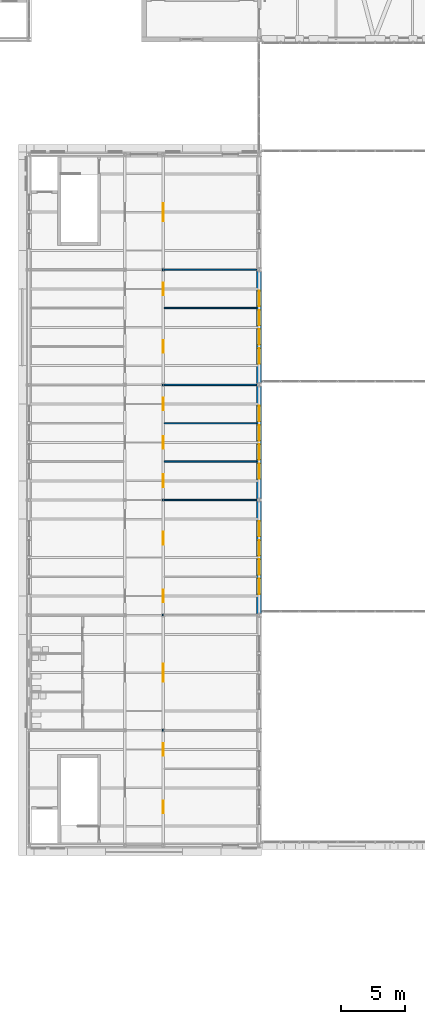
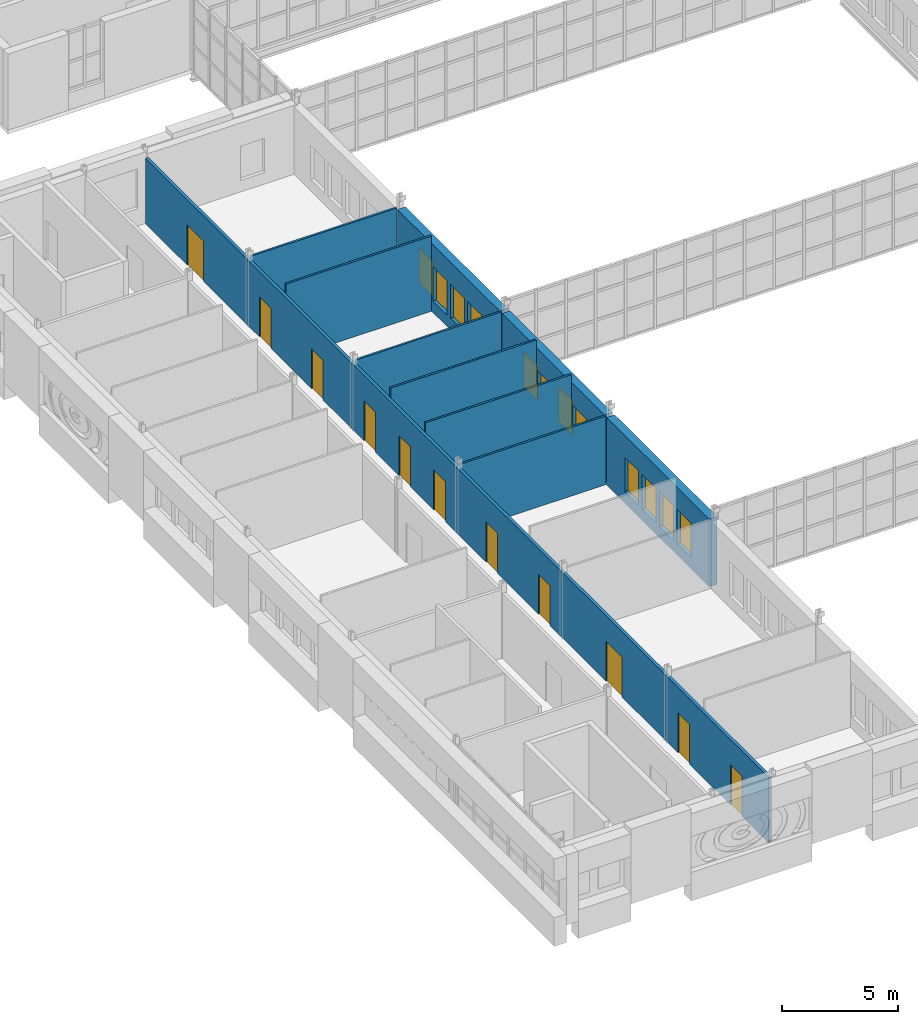
# One storey, part 106 of 154: 12 windows, 11 doors, 10 walls, 23 openings.
"""IFC4 building model written with IfcOpenShell, lengths in metres."""

import ifcopenshell
import ifcopenshell.guid

model = None  # the IFC model being written
_history = None  # IfcOwnerHistory: only IFC2X3 demands one
_inside = {}  # id of a spatial element -> (the spatial element, [elements in it])
_under = {}  # id of a project, library or spatial element -> (it, [spatial elements below it])
_declared = {}  # id of a project -> (the project, [libraries it declares])
_typed = {}  # id of a type object -> (the type object, [elements of that type])
_made_of = {}  # id of a material, layer set ... -> (it, [elements and type objects made of it])


def new_model(schema):
    """Start an empty IFC model of exactly this schema.

    Asked for "IFC4X3", IfcOpenShell would pick the latest addendum, in which some entities
    have other attributes; the version numbers below select the first issue.
    IFC2X3 requires an IfcOwnerHistory on every rooted entity: one is made here for all.
    """
    global model, _history
    if schema == "IFC4X3":
        model = ifcopenshell.file(schema_version=(4, 3, 0, 0))
    else:
        model = ifcopenshell.file(schema=schema)
    _inside.clear()
    _under.clear()
    _declared.clear()
    _typed.clear()
    _made_of.clear()
    _history = None
    if model.schema == "IFC2X3":
        org = make("IfcOrganization", Name="unknown")
        user = make(
            "IfcPersonAndOrganization",
            ThePerson=make("IfcPerson", FamilyName="unknown"),
            TheOrganization=org,
        )
        app = make(
            "IfcApplication",
            ApplicationDeveloper=org,
            Version="unknown",
            ApplicationFullName="unknown",
            ApplicationIdentifier="unknown",
        )
        _history = make(
            "IfcOwnerHistory",
            OwningUser=user,
            OwningApplication=app,
            ChangeAction="ADDED",
            CreationDate=0,
        )
    return model


def make(cls, **values):
    """One entity of the class cls with the attributes given. An attribute that is None is left unset."""
    return model.create_entity(
        cls, **{name: value for name, value in values.items() if value is not None}
    )


def rooted(cls, **values):
    """An entity with a GlobalId (a new one), such as an element, a storey or a relation."""
    return make(cls, GlobalId=ifcopenshell.guid.new(), OwnerHistory=_history, **values)


def si_unit(unit_type, name, prefix=None):
    """IfcSIUnit, for example si_unit("LENGTHUNIT", "METRE", prefix="MILLI")."""
    return make("IfcSIUnit", UnitType=unit_type, Prefix=prefix, Name=name)


def assignment(units):
    """IfcUnitAssignment: the units of a project."""
    return None if units is None else make("IfcUnitAssignment", Units=units)


def point(xyz):
    """IfcCartesianPoint."""
    return None if xyz is None else make("IfcCartesianPoint", Coordinates=xyz)


def direction(xyz):
    """IfcDirection."""
    return None if xyz is None else make("IfcDirection", DirectionRatios=xyz)


def frame(location, z_axis=None, x_axis=None):
    """IfcAxis2Placement3D, a coordinate frame: its origin and axes. An axis left out is left unset."""
    return make(
        "IfcAxis2Placement3D",
        Location=point(location),
        Axis=direction(z_axis),
        RefDirection=direction(x_axis),
    )


def frame_2d(location, x_axis=None):
    """IfcAxis2Placement2D, a coordinate frame in the plane: its origin and x axis."""
    return make(
        "IfcAxis2Placement2D", Location=point(location), RefDirection=direction(x_axis)
    )


def origin():
    """The frame at (0, 0, 0) with its axes left unset."""
    return frame((0.0, 0.0, 0.0))


def place(relative_to, where):
    """IfcLocalPlacement: puts the frame where relative to a parent placement (None: the world)."""
    return make(
        "IfcLocalPlacement", PlacementRelTo=relative_to, RelativePlacement=where
    )


def context(
    kind, dimensions, precision=None, world=None, true_north=None, identifier=None
):
    """IfcGeometricRepresentationContext, for example the 3D "Model" context."""
    return make(
        "IfcGeometricRepresentationContext",
        ContextIdentifier=identifier,
        ContextType=kind,
        CoordinateSpaceDimension=dimensions,
        Precision=precision,
        WorldCoordinateSystem=world,
        TrueNorth=true_north,
    )


def subcontext(parent, identifier, kind, view, scale=None):
    """IfcGeometricRepresentationSubContext, for example "Body" below "Model"."""
    return make(
        "IfcGeometricRepresentationSubContext",
        ContextIdentifier=identifier,
        ContextType=kind,
        ParentContext=parent,
        TargetScale=scale,
        TargetView=view,
    )


def project(units=None, contexts=None):
    """IfcProject with its units and contexts."""
    return rooted(
        "IfcProject",
        Name="project",
        RepresentationContexts=contexts,
        UnitsInContext=assignment(units),
    )


def spatial(cls, under=None, at=None, **own):
    """A site, building, storey or space (cls), placed at a placement, below another one or the project."""
    s = rooted(cls, ObjectPlacement=at, **own)
    if under is not None:
        _under.setdefault(under.id(), (under, []))[1].append(s)
    return s


def profile(cls, at=None, kind="AREA", **sizes):
    """A parametric profile (cls). Its sizes go by their IFC names, for example OverallWidth=200.0."""
    return make(cls, ProfileType=kind, Position=at, **sizes)


def rectangle(**sizes):
    """IfcRectangleProfileDef."""
    return profile("IfcRectangleProfileDef", **sizes)


def extrude(swept, where, along, depth):
    """IfcExtrudedAreaSolid: the profile swept, set in the frame where, extruded along a direction by depth."""
    return make(
        "IfcExtrudedAreaSolid",
        SweptArea=swept,
        Position=where,
        ExtrudedDirection=direction(along),
        Depth=depth,
    )


def shape(context_of_items, identifier, shape_type, items):
    """IfcShapeRepresentation: the items that make up one representation, for example the "Body"."""
    return make(
        "IfcShapeRepresentation",
        ContextOfItems=context_of_items,
        RepresentationIdentifier=identifier,
        RepresentationType=shape_type,
        Items=items,
    )


def material(Name=None, Category=None):
    """IfcMaterial."""
    return make("IfcMaterial", Name=Name, Category=Category)


def layer(
    of_material, thickness, ventilated=None, Name=None, Category=None, Priority=None
):
    """IfcMaterialLayer: one layer of a wall or slab, of a material (None: an air gap)."""
    return make(
        "IfcMaterialLayer",
        Material=of_material,
        LayerThickness=thickness,
        IsVentilated=ventilated,
        Name=Name,
        Category=Category,
        Priority=Priority,
    )


def layer_set(layers, Name=None):
    """IfcMaterialLayerSet."""
    return make("IfcMaterialLayerSet", MaterialLayers=layers, LayerSetName=Name)


def made_of(thing, what):
    """Note that an element or type object is made of a material, layer set ...; save() writes the relation."""
    if what is not None:
        _made_of.setdefault(what.id(), (what, []))[1].append(thing)
    return thing


def type_object(cls, material=None, **own):
    """A type object (cls), such as IfcWallType, which elements share."""
    return made_of(rooted(cls, **own), material)


def element(
    cls,
    number,
    at=None,
    inside=None,
    cuts=None,
    type_object=None,
    material=None,
    context=None,
    identifier="Body",
    shape_type=None,
    held_by="IfcProductDefinitionShape",
    body=None,
    shapes=None,
    **own,
):
    """One element of the class cls, such as IfcWall. Its Tag is "e" and its number.

    at: its placement. inside: the storey or other place that contains it. cuts: it is an
    opening in that element (IfcRelVoidsElement). A single representation is given by context,
    identifier, shape_type and body (its items); several are given by shapes. held_by: the class
    of the entity that holds the representations. save() writes the other relations.
    """
    e = rooted(cls, Tag="e%d" % number, ObjectPlacement=at, **own)
    if body is not None:
        shapes = [shape(context, identifier, shape_type, body)]
    if shapes is not None:
        e.Representation = make(held_by, Representations=shapes)
    if inside is not None:
        _inside.setdefault(inside.id(), (inside, []))[1].append(e)
    if cuts is not None:
        rooted(
            "IfcRelVoidsElement", RelatingBuildingElement=cuts, RelatedOpeningElement=e
        )
    if type_object is not None:
        _typed.setdefault(type_object.id(), (type_object, []))[1].append(e)
    return made_of(e, material)


def fill(opening, filler):
    """IfcRelFillsElement: the door or window that sits in an opening."""
    return rooted(
        "IfcRelFillsElement",
        RelatingOpeningElement=opening,
        RelatedBuildingElement=filler,
    )


def aggregate(whole, parts):
    """IfcRelAggregates: a whole, such as a stair, and the parts it consists of."""
    return rooted("IfcRelAggregates", RelatingObject=whole, RelatedObjects=parts)


def save(model, path):
    """Write the relations noted so far, then the file.

    IfcRelAggregates (storeys below a building ...), IfcRelContainedInSpatialStructure (elements
    in a storey), IfcRelDefinesByType, IfcRelAssociatesMaterial and IfcRelDeclares: one each for
    every whole, place, type object, material and project.
    """
    for whole, parts in _under.values():
        aggregate(whole, parts)
    for where, things in _inside.values():
        rooted(
            "IfcRelContainedInSpatialStructure",
            RelatedElements=things,
            RelatingStructure=where,
        )
    for kind, things in _typed.values():
        rooted("IfcRelDefinesByType", RelatedObjects=things, RelatingType=kind)
    for what, things in _made_of.values():
        rooted("IfcRelAssociatesMaterial", RelatedObjects=things, RelatingMaterial=what)
    for by, libraries in _declared.values():
        rooted("IfcRelDeclares", RelatingContext=by, RelatedDefinitions=libraries)
    model.write(path)


model = new_model("IFC4")

# Units and contexts
model_context = context("Model", 3, precision=1e-05, world=origin(), true_north=direction((0.0, 1.0)))
body_context = subcontext(model_context, "Body", "Model", "MODEL_VIEW")
ifc_project = project(units=[si_unit("LENGTHUNIT", "METRE"), si_unit("AREAUNIT", "SQUARE_METRE"), si_unit("VOLUMEUNIT", "CUBIC_METRE"), si_unit("PLANEANGLEUNIT", "RADIAN"), si_unit("MASSUNIT", "GRAM", prefix="KILO")], contexts=[model_context])

# Site, building, storey
site_placement = place(None, origin())
site = spatial("IfcSite", under=ifc_project, at=site_placement, CompositionType="ELEMENT")
building_placement = place(site_placement, origin())
building = spatial("IfcBuilding", under=site, at=building_placement, Name="Golden Quay Civic Hall", CompositionType="ELEMENT")
storey_placement = place(building_placement, frame((0.0, 0.0, 14.39990234375)))
storey = spatial("IfcBuildingStorey", under=building, at=storey_placement, Name="L03", CompositionType="ELEMENT", Elevation=14.39990234375)

# Walls
ifc_material_1 = material(Name="Plasterboard on steel studs", Category="steel")
ifc_layer_1 = layer(ifc_material_1, 0.10009765625)
ifc_layer_set_1 = layer_set([ifc_layer_1], Name="Partition 100 stud")
wall_type_1 = type_object("IfcWallType", Name="Partition 100 stud", PredefinedType="PARTITIONING", material=ifc_layer_set_1)
wall_1_placement = place(storey_placement, frame((64.574951171875, 27.0, 0.0), z_axis=(0.0, 0.0, 1.0), x_axis=(1.0, 0.0, 0.0)))
element("IfcWall", 1, at=wall_1_placement, inside=storey, type_object=wall_type_1, Name="Partition L03-012", PredefinedType="PARTITIONING", context=body_context, shape_type="SweptSolid", body=[
    extrude(rectangle(XDim=7.22509765625, YDim=0.10009765625, at=frame_2d((3.612548828125, 0.0))), origin(), (0.0, 0.0, 1.0), 3.60009765625),
])
for number, where, z_axis, x_axis, name in (
    (2, (64.574951171875, 30.0, 0.0), (0.0, 0.0, 1.0), (1.0, 0.0, 0.0), "Partition L03-013"),
    (3, (64.574951171875, 33.0, 0.0), (0.0, 0.0, 1.0), (1.0, 0.0, 0.0), "Partition L03-014"),
):
    element("IfcWall", number, at=place(storey_placement, frame(where, z_axis=z_axis, x_axis=x_axis)), inside=storey, type_object=wall_type_1, Name=name, PredefinedType="PARTITIONING", context=body_context, shape_type="SweptSolid", body=[
        extrude(rectangle(XDim=7.22509765625, YDim=0.10009765625, at=frame_2d((3.612548828125, 0.0))), origin(), (0.0, 0.0, 1.0), 3.9501953125),
    ])
wall_2_placement = place(storey_placement, frame((64.574951171875, 36.0, 0.0), z_axis=(0.0, 0.0, 1.0), x_axis=(1.0, 0.0, 0.0)))
element("IfcWall", 4, at=wall_2_placement, inside=storey, type_object=wall_type_1, Name="Partition L03-015", PredefinedType="PARTITIONING", context=body_context, shape_type="SweptSolid", body=[
    extrude(rectangle(XDim=7.22509765625, YDim=0.10009765625, at=frame_2d((3.612548828125, 0.0))), origin(), (0.0, 0.0, 1.0), 3.60009765625),
])
wall_3_placement = place(storey_placement, frame((64.574951171875, 42.0, 0.0), z_axis=(0.0, 0.0, 1.0), x_axis=(1.0, 0.0, 0.0)))
element("IfcWall", 5, at=wall_3_placement, inside=storey, type_object=wall_type_1, Name="Partition L03-016", PredefinedType="PARTITIONING", context=body_context, shape_type="SweptSolid", body=[
    extrude(rectangle(XDim=7.22509765625, YDim=0.10009765625, at=frame_2d((3.612548828125, 0.0))), origin(), (0.0, 0.0, 1.0), 3.9501953125),
])
wall_4_placement = place(storey_placement, frame((64.574951171875, 45.0, 0.0), z_axis=(0.0, 0.0, 1.0), x_axis=(1.0, 0.0, 0.0)))
element("IfcWall", 6, at=wall_4_placement, inside=storey, type_object=wall_type_1, Name="Partition L03-017", PredefinedType="PARTITIONING", context=body_context, shape_type="SweptSolid", body=[
    extrude(rectangle(XDim=7.22509765625, YDim=0.10009765625, at=frame_2d((3.612548828125, 0.0))), origin(), (0.0, 0.0, 1.0), 3.60009765625),
])

# Wall, openings, doors
ifc_material_2 = material(Name="Plasterboard on steel studs", Category="steel")
ifc_layer_2 = layer(ifc_material_2, 0.14990234375)
ifc_layer_set_2 = layer_set([ifc_layer_2], Name="Partition 150 stud fire EI 60")
wall_type_2 = type_object("IfcWallType", Name="Partition 150 stud fire EI 60", PredefinedType="PARTITIONING", material=ifc_layer_set_2)
wall_5_placement = place(storey_placement, frame((64.5, 0.199951171875, 0.0), z_axis=(0.0, 0.0, 1.0), x_axis=(0.0, 1.0, 0.0)))
wall_5 = element("IfcWall", 7, at=wall_5_placement, inside=storey, type_object=wall_type_2, Name="Partition L03-020", PredefinedType="PARTITIONING", context=body_context, shape_type="SweptSolid", body=[
    extrude(rectangle(XDim=53.60009765625, YDim=0.14990234375, at=frame_2d((26.800048828125, 0.0))), origin(), (0.0, 0.0, 1.0), 3.43017578125),
])
opening_1_placement = place(wall_5_placement, frame((2.300048828125, 0.0, 0.0)))
opening_1 = element("IfcOpeningElement", 8, at=opening_1_placement, cuts=wall_5, Name="Opening L03-D082", PredefinedType="OPENING", context=body_context, shape_type="SweptSolid", body=[
    extrude(rectangle(XDim=1.0, YDim=2.10009765625, at=frame_2d((0.5, 1.050048828125))), frame((0.0, 0.0849609375, 0.0), z_axis=(0.0, -1.0, 0.0), x_axis=(1.0, 0.0, 0.0)), (0.0, 0.0, 1.0), 0.169921875),
])
opening_2_placement = place(wall_5_placement, frame((6.800048828125, 0.0, 0.0)))
opening_2 = element("IfcOpeningElement", 9, at=opening_2_placement, cuts=wall_5, Name="Opening L03-D083", PredefinedType="OPENING", context=body_context, shape_type="SweptSolid", body=[
    extrude(rectangle(XDim=1.0, YDim=2.10009765625, at=frame_2d((0.5, 1.050048828125))), frame((0.0, 0.0849609375, 0.0), z_axis=(0.0, -1.0, 0.0), x_axis=(1.0, 0.0, 0.0)), (0.0, 0.0, 1.0), 0.169921875),
])
opening_3_placement = place(wall_5_placement, frame((12.60009765625, 0.0, 0.0)))
opening_3 = element("IfcOpeningElement", 10, at=opening_3_placement, cuts=wall_5, Name="Opening L03-D084", PredefinedType="OPENING", context=body_context, shape_type="SweptSolid", body=[
    extrude(rectangle(XDim=1.39990234375, YDim=2.10009765625, at=frame_2d((0.699951171875, 1.050048828125))), frame((0.0, 0.0849609375, 0.0), z_axis=(0.0, -1.0, 0.0), x_axis=(1.0, 0.0, 0.0)), (0.0, 0.0, 1.0), 0.169921875),
])
opening_4_placement = place(wall_5_placement, frame((18.800048828125, 0.0, 0.0)))
opening_4 = element("IfcOpeningElement", 11, at=opening_4_placement, cuts=wall_5, Name="Opening L03-D085", PredefinedType="OPENING", context=body_context, shape_type="SweptSolid", body=[
    extrude(rectangle(XDim=1.0, YDim=2.10009765625, at=frame_2d((0.5, 1.050048828125))), frame((0.0, 0.0849609375, 0.0), z_axis=(0.0, -1.0, 0.0), x_axis=(1.0, 0.0, 0.0)), (0.0, 0.0, 1.0), 0.169921875),
])
opening_5_placement = place(wall_5_placement, frame((23.300048828125, 0.0, 0.0)))
opening_5 = element("IfcOpeningElement", 12, at=opening_5_placement, cuts=wall_5, Name="Opening L03-D086", PredefinedType="OPENING", context=body_context, shape_type="SweptSolid", body=[
    extrude(rectangle(XDim=1.0, YDim=2.10009765625, at=frame_2d((0.5, 1.050048828125))), frame((0.0, 0.0849609375, 0.0), z_axis=(0.0, -1.0, 0.0), x_axis=(1.0, 0.0, 0.0)), (0.0, 0.0, 1.0), 0.169921875),
])
opening_6_placement = place(wall_5_placement, frame((27.800048828125, 0.0, 0.0)))
opening_6 = element("IfcOpeningElement", 13, at=opening_6_placement, cuts=wall_5, Name="Opening L03-D087", PredefinedType="OPENING", context=body_context, shape_type="SweptSolid", body=[
    extrude(rectangle(XDim=1.0, YDim=2.10009765625, at=frame_2d((0.5, 1.050048828125))), frame((0.0, 0.0849609375, 0.0), z_axis=(0.0, -1.0, 0.0), x_axis=(1.0, 0.0, 0.0)), (0.0, 0.0, 1.0), 0.169921875),
])
opening_7_placement = place(wall_5_placement, frame((30.800048828125, 0.0, 0.0)))
opening_7 = element("IfcOpeningElement", 14, at=opening_7_placement, cuts=wall_5, Name="Opening L03-D088", PredefinedType="OPENING", context=body_context, shape_type="SweptSolid", body=[
    extrude(rectangle(XDim=1.0, YDim=2.10009765625, at=frame_2d((0.5, 1.050048828125))), frame((0.0, 0.0849609375, 0.0), z_axis=(0.0, -1.0, 0.0), x_axis=(1.0, 0.0, 0.0)), (0.0, 0.0, 1.0), 0.169921875),
])
opening_8_placement = place(wall_5_placement, frame((33.800048828125, 0.0, 0.0)))
opening_8 = element("IfcOpeningElement", 15, at=opening_8_placement, cuts=wall_5, Name="Opening L03-D089", PredefinedType="OPENING", context=body_context, shape_type="SweptSolid", body=[
    extrude(rectangle(XDim=1.0, YDim=2.10009765625, at=frame_2d((0.5, 1.050048828125))), frame((0.0, 0.0849609375, 0.0), z_axis=(0.0, -1.0, 0.0), x_axis=(1.0, 0.0, 0.0)), (0.0, 0.0, 1.0), 0.169921875),
])
opening_9_placement = place(wall_5_placement, frame((38.300048828125, 0.0, 0.0)))
opening_9 = element("IfcOpeningElement", 16, at=opening_9_placement, cuts=wall_5, Name="Opening L03-D090", PredefinedType="OPENING", context=body_context, shape_type="SweptSolid", body=[
    extrude(rectangle(XDim=1.0, YDim=2.10009765625, at=frame_2d((0.5, 1.050048828125))), frame((0.0, 0.0849609375, 0.0), z_axis=(0.0, -1.0, 0.0), x_axis=(1.0, 0.0, 0.0)), (0.0, 0.0, 1.0), 0.169921875),
])
opening_10_placement = place(wall_5_placement, frame((42.800048828125, 0.0, 0.0)))
opening_10 = element("IfcOpeningElement", 17, at=opening_10_placement, cuts=wall_5, Name="Opening L03-D091", PredefinedType="OPENING", context=body_context, shape_type="SweptSolid", body=[
    extrude(rectangle(XDim=1.0, YDim=2.10009765625, at=frame_2d((0.5, 1.050048828125))), frame((0.0, 0.0849609375, 0.0), z_axis=(0.0, -1.0, 0.0), x_axis=(1.0, 0.0, 0.0)), (0.0, 0.0, 1.0), 0.169921875),
])
opening_11_placement = place(wall_5_placement, frame((48.60009765625, 0.0, 0.0)))
opening_11 = element("IfcOpeningElement", 18, at=opening_11_placement, cuts=wall_5, Name="Opening L03-D092", PredefinedType="OPENING", context=body_context, shape_type="SweptSolid", body=[
    extrude(rectangle(XDim=1.39990234375, YDim=2.10009765625, at=frame_2d((0.699951171875, 1.050048828125))), frame((0.0, 0.0849609375, 0.0), z_axis=(0.0, -1.0, 0.0), x_axis=(1.0, 0.0, 0.0)), (0.0, 0.0, 1.0), 0.169921875),
])
ifc_material_3 = material(Name="Steel", Category="steel")
door_type_1 = type_object("IfcDoorType", Name="Steel double fire door FD30S 1400 x 2100", OperationType="DOUBLE_DOOR_SINGLE_SWING", PredefinedType="DOOR", material=ifc_material_3)
door_1_placement = place(opening_3_placement, frame((1.39990234375, 0.0, 0.0), z_axis=(0.0, 0.0, 1.0), x_axis=(-1.0, 0.0, 0.0)))
door_1 = element("IfcDoor", 19, at=door_1_placement, inside=storey, type_object=door_type_1, Name="Door L03-D084", OperationType="DOUBLE_DOOR_SINGLE_SWING", OverallHeight=2.10009765625, OverallWidth=1.39990234375, PredefinedType="DOOR", context=body_context, shape_type="SweptSolid", body=[
    extrude(rectangle(XDim=1.39990234375, YDim=2.10009765625, at=frame_2d((0.699951171875, 1.050048828125))), frame((0.0, 0.025146484375, 0.0), z_axis=(0.0, -1.0, 0.0), x_axis=(1.0, 0.0, 0.0)), (0.0, 0.0, 1.0), 0.050048828125),
])
fill(opening_3, door_1)
door_2_placement = place(opening_11_placement, frame((1.39990234375, 0.0, 0.0), z_axis=(0.0, 0.0, 1.0), x_axis=(-1.0, 0.0, 0.0)))
door_2 = element("IfcDoor", 20, at=door_2_placement, inside=storey, type_object=door_type_1, Name="Door L03-D092", OperationType="DOUBLE_DOOR_SINGLE_SWING", OverallHeight=2.10009765625, OverallWidth=1.39990234375, PredefinedType="DOOR", context=body_context, shape_type="SweptSolid", body=[
    extrude(rectangle(XDim=1.39990234375, YDim=2.10009765625, at=frame_2d((0.699951171875, 1.050048828125))), frame((0.0, 0.025146484375, 0.0), z_axis=(0.0, -1.0, 0.0), x_axis=(1.0, 0.0, 0.0)), (0.0, 0.0, 1.0), 0.050048828125),
])
fill(opening_11, door_2)
ifc_material_4 = material(Name="Steel", Category="steel")
door_type_2 = type_object("IfcDoorType", Name="Steel fire door FD30S 1000 x 2100", OperationType="SINGLE_SWING_LEFT", PredefinedType="DOOR", material=ifc_material_4)
door_3_placement = place(opening_1_placement, frame((1.0, 0.0, 0.0), z_axis=(0.0, 0.0, 1.0), x_axis=(-1.0, 0.0, 0.0)))
door_3 = element("IfcDoor", 21, at=door_3_placement, inside=storey, type_object=door_type_2, Name="Door L03-D082", OperationType="SINGLE_SWING_RIGHT", OverallHeight=2.10009765625, OverallWidth=1.0, PredefinedType="DOOR", context=body_context, shape_type="SweptSolid", body=[
    extrude(rectangle(XDim=1.0, YDim=2.10009765625, at=frame_2d((0.5, 1.050048828125))), frame((0.0, 0.025146484375, 0.0), z_axis=(0.0, -1.0, 0.0), x_axis=(1.0, 0.0, 0.0)), (0.0, 0.0, 1.0), 0.050048828125),
])
fill(opening_1, door_3)
door_4_placement = place(opening_2_placement, frame((1.0, 0.0, 0.0), z_axis=(0.0, 0.0, 1.0), x_axis=(-1.0, 0.0, 0.0)))
door_4 = element("IfcDoor", 22, at=door_4_placement, inside=storey, type_object=door_type_2, Name="Door L03-D083", OperationType="SINGLE_SWING_RIGHT", OverallHeight=2.10009765625, OverallWidth=1.0, PredefinedType="DOOR", context=body_context, shape_type="SweptSolid", body=[
    extrude(rectangle(XDim=1.0, YDim=2.10009765625, at=frame_2d((0.5, 1.050048828125))), frame((0.0, 0.025146484375, 0.0), z_axis=(0.0, -1.0, 0.0), x_axis=(1.0, 0.0, 0.0)), (0.0, 0.0, 1.0), 0.050048828125),
])
fill(opening_2, door_4)
door_5_placement = place(opening_4_placement, frame((1.0, 0.0, 0.0), z_axis=(0.0, 0.0, 1.0), x_axis=(-1.0, 0.0, 0.0)))
door_5 = element("IfcDoor", 23, at=door_5_placement, inside=storey, type_object=door_type_2, Name="Door L03-D085", OperationType="SINGLE_SWING_RIGHT", OverallHeight=2.10009765625, OverallWidth=1.0, PredefinedType="DOOR", context=body_context, shape_type="SweptSolid", body=[
    extrude(rectangle(XDim=1.0, YDim=2.10009765625, at=frame_2d((0.5, 1.050048828125))), frame((0.0, 0.025146484375, 0.0), z_axis=(0.0, -1.0, 0.0), x_axis=(1.0, 0.0, 0.0)), (0.0, 0.0, 1.0), 0.050048828125),
])
fill(opening_4, door_5)
door_6_placement = place(opening_5_placement, frame((1.0, 0.0, 0.0), z_axis=(0.0, 0.0, 1.0), x_axis=(-1.0, 0.0, 0.0)))
door_6 = element("IfcDoor", 24, at=door_6_placement, inside=storey, type_object=door_type_2, Name="Door L03-D086", OperationType="SINGLE_SWING_RIGHT", OverallHeight=2.10009765625, OverallWidth=1.0, PredefinedType="DOOR", context=body_context, shape_type="SweptSolid", body=[
    extrude(rectangle(XDim=1.0, YDim=2.10009765625, at=frame_2d((0.5, 1.050048828125))), frame((0.0, 0.025146484375, 0.0), z_axis=(0.0, -1.0, 0.0), x_axis=(1.0, 0.0, 0.0)), (0.0, 0.0, 1.0), 0.050048828125),
])
fill(opening_5, door_6)
door_7_placement = place(opening_6_placement, frame((1.0, 0.0, 0.0), z_axis=(0.0, 0.0, 1.0), x_axis=(-1.0, 0.0, 0.0)))
door_7 = element("IfcDoor", 25, at=door_7_placement, inside=storey, type_object=door_type_2, Name="Door L03-D087", OperationType="SINGLE_SWING_RIGHT", OverallHeight=2.10009765625, OverallWidth=1.0, PredefinedType="DOOR", context=body_context, shape_type="SweptSolid", body=[
    extrude(rectangle(XDim=1.0, YDim=2.10009765625, at=frame_2d((0.5, 1.050048828125))), frame((0.0, 0.025146484375, 0.0), z_axis=(0.0, -1.0, 0.0), x_axis=(1.0, 0.0, 0.0)), (0.0, 0.0, 1.0), 0.050048828125),
])
fill(opening_6, door_7)
door_8_placement = place(opening_7_placement, frame((1.0, 0.0, 0.0), z_axis=(0.0, 0.0, 1.0), x_axis=(-1.0, 0.0, 0.0)))
door_8 = element("IfcDoor", 26, at=door_8_placement, inside=storey, type_object=door_type_2, Name="Door L03-D088", OperationType="SINGLE_SWING_RIGHT", OverallHeight=2.10009765625, OverallWidth=1.0, PredefinedType="DOOR", context=body_context, shape_type="SweptSolid", body=[
    extrude(rectangle(XDim=1.0, YDim=2.10009765625, at=frame_2d((0.5, 1.050048828125))), frame((0.0, 0.025146484375, 0.0), z_axis=(0.0, -1.0, 0.0), x_axis=(1.0, 0.0, 0.0)), (0.0, 0.0, 1.0), 0.050048828125),
])
fill(opening_7, door_8)
door_9_placement = place(opening_8_placement, frame((1.0, 0.0, 0.0), z_axis=(0.0, 0.0, 1.0), x_axis=(-1.0, 0.0, 0.0)))
door_9 = element("IfcDoor", 27, at=door_9_placement, inside=storey, type_object=door_type_2, Name="Door L03-D089", OperationType="SINGLE_SWING_RIGHT", OverallHeight=2.10009765625, OverallWidth=1.0, PredefinedType="DOOR", context=body_context, shape_type="SweptSolid", body=[
    extrude(rectangle(XDim=1.0, YDim=2.10009765625, at=frame_2d((0.5, 1.050048828125))), frame((0.0, 0.025146484375, 0.0), z_axis=(0.0, -1.0, 0.0), x_axis=(1.0, 0.0, 0.0)), (0.0, 0.0, 1.0), 0.050048828125),
])
fill(opening_8, door_9)
door_10_placement = place(opening_9_placement, frame((1.0, 0.0, 0.0), z_axis=(0.0, 0.0, 1.0), x_axis=(-1.0, 0.0, 0.0)))
door_10 = element("IfcDoor", 28, at=door_10_placement, inside=storey, type_object=door_type_2, Name="Door L03-D090", OperationType="SINGLE_SWING_RIGHT", OverallHeight=2.10009765625, OverallWidth=1.0, PredefinedType="DOOR", context=body_context, shape_type="SweptSolid", body=[
    extrude(rectangle(XDim=1.0, YDim=2.10009765625, at=frame_2d((0.5, 1.050048828125))), frame((0.0, 0.025146484375, 0.0), z_axis=(0.0, -1.0, 0.0), x_axis=(1.0, 0.0, 0.0)), (0.0, 0.0, 1.0), 0.050048828125),
])
fill(opening_9, door_10)
door_11_placement = place(opening_10_placement, frame((1.0, 0.0, 0.0), z_axis=(0.0, 0.0, 1.0), x_axis=(-1.0, 0.0, 0.0)))
door_11 = element("IfcDoor", 29, at=door_11_placement, inside=storey, type_object=door_type_2, Name="Door L03-D091", OperationType="SINGLE_SWING_RIGHT", OverallHeight=2.10009765625, OverallWidth=1.0, PredefinedType="DOOR", context=body_context, shape_type="SweptSolid", body=[
    extrude(rectangle(XDim=1.0, YDim=2.10009765625, at=frame_2d((0.5, 1.050048828125))), frame((0.0, 0.025146484375, 0.0), z_axis=(0.0, -1.0, 0.0), x_axis=(1.0, 0.0, 0.0)), (0.0, 0.0, 1.0), 0.050048828125),
])
fill(opening_10, door_11)

# Wall, openings, windows
ifc_material_5 = material(Name="Clay block, rendered, cream")
ifc_layer_3 = layer(ifc_material_5, 0.39990234375)
ifc_layer_set_3 = layer_set([ifc_layer_3], Name="Rendered block external wall 400")
wall_type_3 = type_object("IfcWallType", Name="Rendered block external wall 400", PredefinedType="STANDARD", material=ifc_layer_set_3)
wall_6_placement = place(storey_placement, frame((72.0, 26.905029296875, 0.0), z_axis=(0.0, 0.0, 1.0), x_axis=(0.0, -1.0, 0.0)))
wall_6 = element("IfcWall", 30, at=wall_6_placement, inside=storey, type_object=wall_type_3, Name="Rendered block external wall 400 L03 29", PredefinedType="STANDARD", context=body_context, shape_type="SweptSolid", body=[
    extrude(rectangle(XDim=8.81005859375, YDim=0.39990234375, at=frame_2d((4.405029296875, 0.0))), origin(), (0.0, 0.0, 1.0), 3.550048828125),
])
opening_12_placement = place(wall_6_placement, frame((6.054931640625, 0.0, 0.60009765625)))
opening_12 = element("IfcOpeningElement", 31, at=opening_12_placement, cuts=wall_6, Name="Opening WN10", PredefinedType="OPENING", context=body_context, shape_type="SweptSolid", body=[
    extrude(rectangle(XDim=1.199951171875, YDim=1.800048828125, at=frame_2d((0.60009765625, 0.89990234375))), frame((0.0, 0.2099609375, 0.0), z_axis=(0.0, -1.0, 0.0), x_axis=(1.0, 0.0, 0.0)), (0.0, 0.0, 1.0), 0.419921875),
])
opening_13_placement = place(wall_6_placement, frame((4.554931640625, 0.0, 0.60009765625)))
opening_13 = element("IfcOpeningElement", 32, at=opening_13_placement, cuts=wall_6, Name="Opening WN10", PredefinedType="OPENING", context=body_context, shape_type="SweptSolid", body=[
    extrude(rectangle(XDim=1.199951171875, YDim=1.800048828125, at=frame_2d((0.60009765625, 0.89990234375))), frame((0.0, 0.2099609375, 0.0), z_axis=(0.0, -1.0, 0.0), x_axis=(1.0, 0.0, 0.0)), (0.0, 0.0, 1.0), 0.419921875),
])
opening_14_placement = place(wall_6_placement, frame((3.054931640625, 0.0, 0.60009765625)))
opening_14 = element("IfcOpeningElement", 33, at=opening_14_placement, cuts=wall_6, Name="Opening WN10", PredefinedType="OPENING", context=body_context, shape_type="SweptSolid", body=[
    extrude(rectangle(XDim=1.199951171875, YDim=1.800048828125, at=frame_2d((0.60009765625, 0.89990234375))), frame((0.0, 0.2099609375, 0.0), z_axis=(0.0, -1.0, 0.0), x_axis=(1.0, 0.0, 0.0)), (0.0, 0.0, 1.0), 0.419921875),
])
opening_15_placement = place(wall_6_placement, frame((1.554931640625, 0.0, 0.60009765625)))
opening_15 = element("IfcOpeningElement", 34, at=opening_15_placement, cuts=wall_6, Name="Opening WN10", PredefinedType="OPENING", context=body_context, shape_type="SweptSolid", body=[
    extrude(rectangle(XDim=1.199951171875, YDim=1.800048828125, at=frame_2d((0.60009765625, 0.89990234375))), frame((0.0, 0.2099609375, 0.0), z_axis=(0.0, -1.0, 0.0), x_axis=(1.0, 0.0, 0.0)), (0.0, 0.0, 1.0), 0.419921875),
])
ifc_material_6 = material(Name="Aluminium frame, double glazed", Category="aluminium")
window_type = type_object("IfcWindowType", Name="Golden grid window 1200 x 1800", PartitioningType="SINGLE_PANEL", PredefinedType="WINDOW", material=ifc_material_6)
window_1_placement = place(opening_12_placement, origin())
window_1 = element("IfcWindow", 35, at=window_1_placement, inside=storey, type_object=window_type, Name="Golden grid window 1200 x 1800 L03 21", OverallHeight=1.800048828125, OverallWidth=1.199951171875, PartitioningType="SINGLE_PANEL", PredefinedType="WINDOW", context=body_context, shape_type="SweptSolid", body=[
    extrude(rectangle(XDim=1.199951171875, YDim=1.800048828125, at=frame_2d((0.60009765625, 0.89990234375))), frame((0.0, 0.030029296875, 0.0), z_axis=(0.0, -1.0, 0.0), x_axis=(1.0, 0.0, 0.0)), (0.0, 0.0, 1.0), 0.06005859375),
])
fill(opening_12, window_1)
window_2_placement = place(opening_13_placement, origin())
window_2 = element("IfcWindow", 36, at=window_2_placement, inside=storey, type_object=window_type, Name="Golden grid window 1200 x 1800 L03 22", OverallHeight=1.800048828125, OverallWidth=1.199951171875, PartitioningType="SINGLE_PANEL", PredefinedType="WINDOW", context=body_context, shape_type="SweptSolid", body=[
    extrude(rectangle(XDim=1.199951171875, YDim=1.800048828125, at=frame_2d((0.60009765625, 0.89990234375))), frame((0.0, 0.030029296875, 0.0), z_axis=(0.0, -1.0, 0.0), x_axis=(1.0, 0.0, 0.0)), (0.0, 0.0, 1.0), 0.06005859375),
])
fill(opening_13, window_2)
window_3_placement = place(opening_14_placement, origin())
window_3 = element("IfcWindow", 37, at=window_3_placement, inside=storey, type_object=window_type, Name="Golden grid window 1200 x 1800 L03 23", OverallHeight=1.800048828125, OverallWidth=1.199951171875, PartitioningType="SINGLE_PANEL", PredefinedType="WINDOW", context=body_context, shape_type="SweptSolid", body=[
    extrude(rectangle(XDim=1.199951171875, YDim=1.800048828125, at=frame_2d((0.60009765625, 0.89990234375))), frame((0.0, 0.030029296875, 0.0), z_axis=(0.0, -1.0, 0.0), x_axis=(1.0, 0.0, 0.0)), (0.0, 0.0, 1.0), 0.06005859375),
])
fill(opening_14, window_3)
window_4_placement = place(opening_15_placement, origin())
window_4 = element("IfcWindow", 38, at=window_4_placement, inside=storey, type_object=window_type, Name="Golden grid window 1200 x 1800 L03 24", OverallHeight=1.800048828125, OverallWidth=1.199951171875, PartitioningType="SINGLE_PANEL", PredefinedType="WINDOW", context=body_context, shape_type="SweptSolid", body=[
    extrude(rectangle(XDim=1.199951171875, YDim=1.800048828125, at=frame_2d((0.60009765625, 0.89990234375))), frame((0.0, 0.030029296875, 0.0), z_axis=(0.0, -1.0, 0.0), x_axis=(1.0, 0.0, 0.0)), (0.0, 0.0, 1.0), 0.06005859375),
])
fill(opening_15, window_4)

wall_7_placement = place(storey_placement, frame((72.0, 35.905029296875, 0.0), z_axis=(0.0, 0.0, 1.0), x_axis=(0.0, -1.0, 0.0)))
wall_7 = element("IfcWall", 39, at=wall_7_placement, inside=storey, type_object=wall_type_3, Name="Rendered block external wall 400 L03 30", PredefinedType="STANDARD", context=body_context, shape_type="SweptSolid", body=[
    extrude(rectangle(XDim=8.81005859375, YDim=0.39990234375, at=frame_2d((4.405029296875, 0.0))), origin(), (0.0, 0.0, 1.0), 3.550048828125),
])
opening_16_placement = place(wall_7_placement, frame((6.054931640625, 0.0, 0.60009765625)))
opening_16 = element("IfcOpeningElement", 40, at=opening_16_placement, cuts=wall_7, Name="Opening WN10", PredefinedType="OPENING", context=body_context, shape_type="SweptSolid", body=[
    extrude(rectangle(XDim=1.199951171875, YDim=1.800048828125, at=frame_2d((0.60009765625, 0.89990234375))), frame((0.0, 0.2099609375, 0.0), z_axis=(0.0, -1.0, 0.0), x_axis=(1.0, 0.0, 0.0)), (0.0, 0.0, 1.0), 0.419921875),
])
opening_17_placement = place(wall_7_placement, frame((4.554931640625, 0.0, 0.60009765625)))
opening_17 = element("IfcOpeningElement", 41, at=opening_17_placement, cuts=wall_7, Name="Opening WN10", PredefinedType="OPENING", context=body_context, shape_type="SweptSolid", body=[
    extrude(rectangle(XDim=1.199951171875, YDim=1.800048828125, at=frame_2d((0.60009765625, 0.89990234375))), frame((0.0, 0.2099609375, 0.0), z_axis=(0.0, -1.0, 0.0), x_axis=(1.0, 0.0, 0.0)), (0.0, 0.0, 1.0), 0.419921875),
])
opening_18_placement = place(wall_7_placement, frame((3.054931640625, 0.0, 0.60009765625)))
opening_18 = element("IfcOpeningElement", 42, at=opening_18_placement, cuts=wall_7, Name="Opening WN10", PredefinedType="OPENING", context=body_context, shape_type="SweptSolid", body=[
    extrude(rectangle(XDim=1.199951171875, YDim=1.800048828125, at=frame_2d((0.60009765625, 0.89990234375))), frame((0.0, 0.2099609375, 0.0), z_axis=(0.0, -1.0, 0.0), x_axis=(1.0, 0.0, 0.0)), (0.0, 0.0, 1.0), 0.419921875),
])
opening_19_placement = place(wall_7_placement, frame((1.554931640625, 0.0, 0.60009765625)))
opening_19 = element("IfcOpeningElement", 43, at=opening_19_placement, cuts=wall_7, Name="Opening WN10", PredefinedType="OPENING", context=body_context, shape_type="SweptSolid", body=[
    extrude(rectangle(XDim=1.199951171875, YDim=1.800048828125, at=frame_2d((0.60009765625, 0.89990234375))), frame((0.0, 0.2099609375, 0.0), z_axis=(0.0, -1.0, 0.0), x_axis=(1.0, 0.0, 0.0)), (0.0, 0.0, 1.0), 0.419921875),
])
window_5_placement = place(opening_16_placement, origin())
window_5 = element("IfcWindow", 44, at=window_5_placement, inside=storey, type_object=window_type, Name="Golden grid window 1200 x 1800 L03 25", OverallHeight=1.800048828125, OverallWidth=1.199951171875, PartitioningType="SINGLE_PANEL", PredefinedType="WINDOW", context=body_context, shape_type="SweptSolid", body=[
    extrude(rectangle(XDim=1.199951171875, YDim=1.800048828125, at=frame_2d((0.60009765625, 0.89990234375))), frame((0.0, 0.030029296875, 0.0), z_axis=(0.0, -1.0, 0.0), x_axis=(1.0, 0.0, 0.0)), (0.0, 0.0, 1.0), 0.06005859375),
])
fill(opening_16, window_5)
window_6_placement = place(opening_17_placement, origin())
window_6 = element("IfcWindow", 45, at=window_6_placement, inside=storey, type_object=window_type, Name="Golden grid window 1200 x 1800 L03 26", OverallHeight=1.800048828125, OverallWidth=1.199951171875, PartitioningType="SINGLE_PANEL", PredefinedType="WINDOW", context=body_context, shape_type="SweptSolid", body=[
    extrude(rectangle(XDim=1.199951171875, YDim=1.800048828125, at=frame_2d((0.60009765625, 0.89990234375))), frame((0.0, 0.030029296875, 0.0), z_axis=(0.0, -1.0, 0.0), x_axis=(1.0, 0.0, 0.0)), (0.0, 0.0, 1.0), 0.06005859375),
])
fill(opening_17, window_6)
window_7_placement = place(opening_18_placement, origin())
window_7 = element("IfcWindow", 46, at=window_7_placement, inside=storey, type_object=window_type, Name="Golden grid window 1200 x 1800 L03 27", OverallHeight=1.800048828125, OverallWidth=1.199951171875, PartitioningType="SINGLE_PANEL", PredefinedType="WINDOW", context=body_context, shape_type="SweptSolid", body=[
    extrude(rectangle(XDim=1.199951171875, YDim=1.800048828125, at=frame_2d((0.60009765625, 0.89990234375))), frame((0.0, 0.030029296875, 0.0), z_axis=(0.0, -1.0, 0.0), x_axis=(1.0, 0.0, 0.0)), (0.0, 0.0, 1.0), 0.06005859375),
])
fill(opening_18, window_7)
window_8_placement = place(opening_19_placement, origin())
window_8 = element("IfcWindow", 47, at=window_8_placement, inside=storey, type_object=window_type, Name="Golden grid window 1200 x 1800 L03 28", OverallHeight=1.800048828125, OverallWidth=1.199951171875, PartitioningType="SINGLE_PANEL", PredefinedType="WINDOW", context=body_context, shape_type="SweptSolid", body=[
    extrude(rectangle(XDim=1.199951171875, YDim=1.800048828125, at=frame_2d((0.60009765625, 0.89990234375))), frame((0.0, 0.030029296875, 0.0), z_axis=(0.0, -1.0, 0.0), x_axis=(1.0, 0.0, 0.0)), (0.0, 0.0, 1.0), 0.06005859375),
])
fill(opening_19, window_8)

wall_8_placement = place(storey_placement, frame((72.0, 44.905029296875, 0.0), z_axis=(0.0, 0.0, 1.0), x_axis=(0.0, -1.0, 0.0)))
wall_8 = element("IfcWall", 48, at=wall_8_placement, inside=storey, type_object=wall_type_3, Name="Rendered block external wall 400 L03 31", PredefinedType="STANDARD", context=body_context, shape_type="SweptSolid", body=[
    extrude(rectangle(XDim=8.81005859375, YDim=0.39990234375, at=frame_2d((4.405029296875, 0.0))), origin(), (0.0, 0.0, 1.0), 3.550048828125),
])
opening_20_placement = place(wall_8_placement, frame((6.054931640625, 0.0, 0.60009765625)))
opening_20 = element("IfcOpeningElement", 49, at=opening_20_placement, cuts=wall_8, Name="Opening WN10", PredefinedType="OPENING", context=body_context, shape_type="SweptSolid", body=[
    extrude(rectangle(XDim=1.199951171875, YDim=1.800048828125, at=frame_2d((0.60009765625, 0.89990234375))), frame((0.0, 0.2099609375, 0.0), z_axis=(0.0, -1.0, 0.0), x_axis=(1.0, 0.0, 0.0)), (0.0, 0.0, 1.0), 0.419921875),
])
opening_21_placement = place(wall_8_placement, frame((4.554931640625, 0.0, 0.60009765625)))
opening_21 = element("IfcOpeningElement", 50, at=opening_21_placement, cuts=wall_8, Name="Opening WN10", PredefinedType="OPENING", context=body_context, shape_type="SweptSolid", body=[
    extrude(rectangle(XDim=1.199951171875, YDim=1.800048828125, at=frame_2d((0.60009765625, 0.89990234375))), frame((0.0, 0.2099609375, 0.0), z_axis=(0.0, -1.0, 0.0), x_axis=(1.0, 0.0, 0.0)), (0.0, 0.0, 1.0), 0.419921875),
])
opening_22_placement = place(wall_8_placement, frame((3.054931640625, 0.0, 0.60009765625)))
opening_22 = element("IfcOpeningElement", 51, at=opening_22_placement, cuts=wall_8, Name="Opening WN10", PredefinedType="OPENING", context=body_context, shape_type="SweptSolid", body=[
    extrude(rectangle(XDim=1.199951171875, YDim=1.800048828125, at=frame_2d((0.60009765625, 0.89990234375))), frame((0.0, 0.2099609375, 0.0), z_axis=(0.0, -1.0, 0.0), x_axis=(1.0, 0.0, 0.0)), (0.0, 0.0, 1.0), 0.419921875),
])
opening_23_placement = place(wall_8_placement, frame((1.554931640625, 0.0, 0.60009765625)))
opening_23 = element("IfcOpeningElement", 52, at=opening_23_placement, cuts=wall_8, Name="Opening WN10", PredefinedType="OPENING", context=body_context, shape_type="SweptSolid", body=[
    extrude(rectangle(XDim=1.199951171875, YDim=1.800048828125, at=frame_2d((0.60009765625, 0.89990234375))), frame((0.0, 0.2099609375, 0.0), z_axis=(0.0, -1.0, 0.0), x_axis=(1.0, 0.0, 0.0)), (0.0, 0.0, 1.0), 0.419921875),
])
window_9_placement = place(opening_20_placement, origin())
window_9 = element("IfcWindow", 53, at=window_9_placement, inside=storey, type_object=window_type, Name="Golden grid window 1200 x 1800 L03 29", OverallHeight=1.800048828125, OverallWidth=1.199951171875, PartitioningType="SINGLE_PANEL", PredefinedType="WINDOW", context=body_context, shape_type="SweptSolid", body=[
    extrude(rectangle(XDim=1.199951171875, YDim=1.800048828125, at=frame_2d((0.60009765625, 0.89990234375))), frame((0.0, 0.030029296875, 0.0), z_axis=(0.0, -1.0, 0.0), x_axis=(1.0, 0.0, 0.0)), (0.0, 0.0, 1.0), 0.06005859375),
])
fill(opening_20, window_9)
window_10_placement = place(opening_21_placement, origin())
window_10 = element("IfcWindow", 54, at=window_10_placement, inside=storey, type_object=window_type, Name="Golden grid window 1200 x 1800 L03 30", OverallHeight=1.800048828125, OverallWidth=1.199951171875, PartitioningType="SINGLE_PANEL", PredefinedType="WINDOW", context=body_context, shape_type="SweptSolid", body=[
    extrude(rectangle(XDim=1.199951171875, YDim=1.800048828125, at=frame_2d((0.60009765625, 0.89990234375))), frame((0.0, 0.030029296875, 0.0), z_axis=(0.0, -1.0, 0.0), x_axis=(1.0, 0.0, 0.0)), (0.0, 0.0, 1.0), 0.06005859375),
])
fill(opening_21, window_10)
window_11_placement = place(opening_22_placement, origin())
window_11 = element("IfcWindow", 55, at=window_11_placement, inside=storey, type_object=window_type, Name="Golden grid window 1200 x 1800 L03 31", OverallHeight=1.800048828125, OverallWidth=1.199951171875, PartitioningType="SINGLE_PANEL", PredefinedType="WINDOW", context=body_context, shape_type="SweptSolid", body=[
    extrude(rectangle(XDim=1.199951171875, YDim=1.800048828125, at=frame_2d((0.60009765625, 0.89990234375))), frame((0.0, 0.030029296875, 0.0), z_axis=(0.0, -1.0, 0.0), x_axis=(1.0, 0.0, 0.0)), (0.0, 0.0, 1.0), 0.06005859375),
])
fill(opening_22, window_11)
window_12_placement = place(opening_23_placement, origin())
window_12 = element("IfcWindow", 56, at=window_12_placement, inside=storey, type_object=window_type, Name="Golden grid window 1200 x 1800 L03 32", OverallHeight=1.800048828125, OverallWidth=1.199951171875, PartitioningType="SINGLE_PANEL", PredefinedType="WINDOW", context=body_context, shape_type="SweptSolid", body=[
    extrude(rectangle(XDim=1.199951171875, YDim=1.800048828125, at=frame_2d((0.60009765625, 0.89990234375))), frame((0.0, 0.030029296875, 0.0), z_axis=(0.0, -1.0, 0.0), x_axis=(1.0, 0.0, 0.0)), (0.0, 0.0, 1.0), 0.06005859375),
])
fill(opening_23, window_12)

save(model, "model.ifc")
